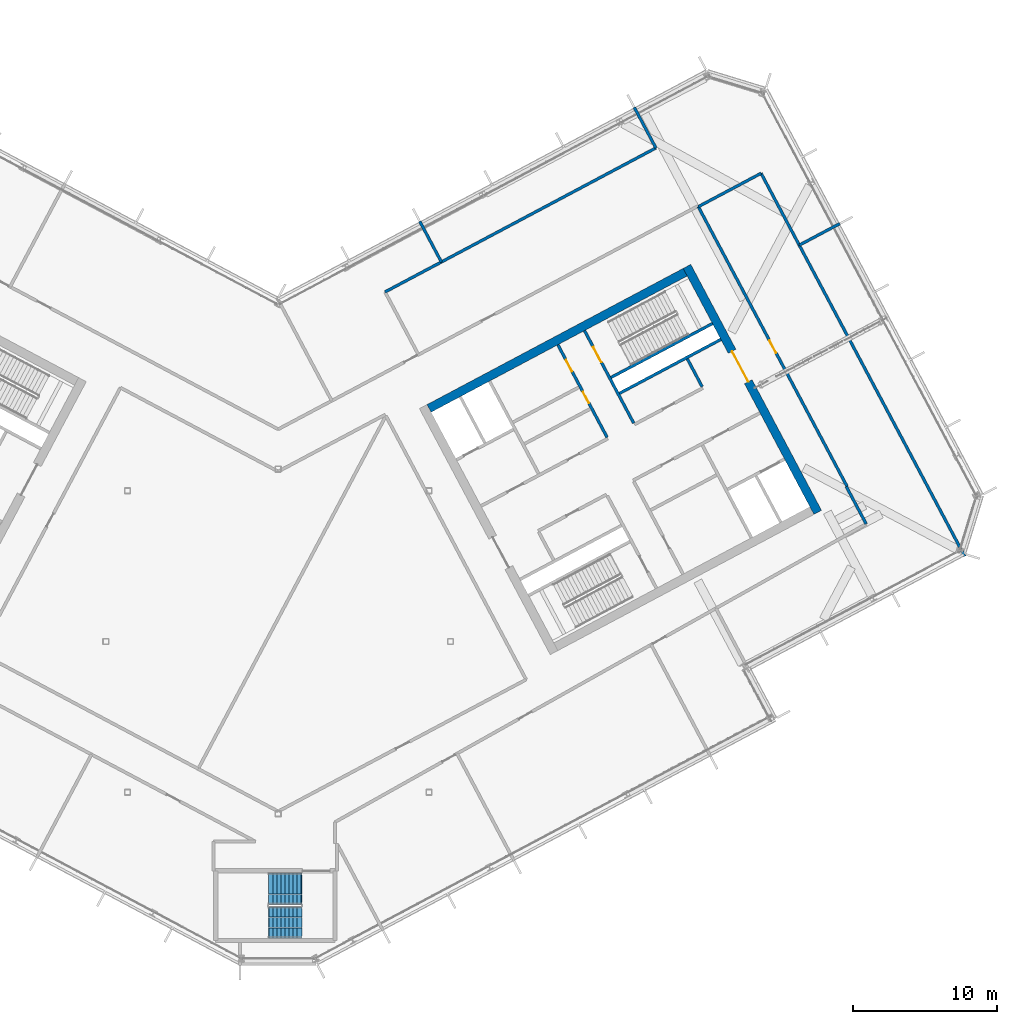
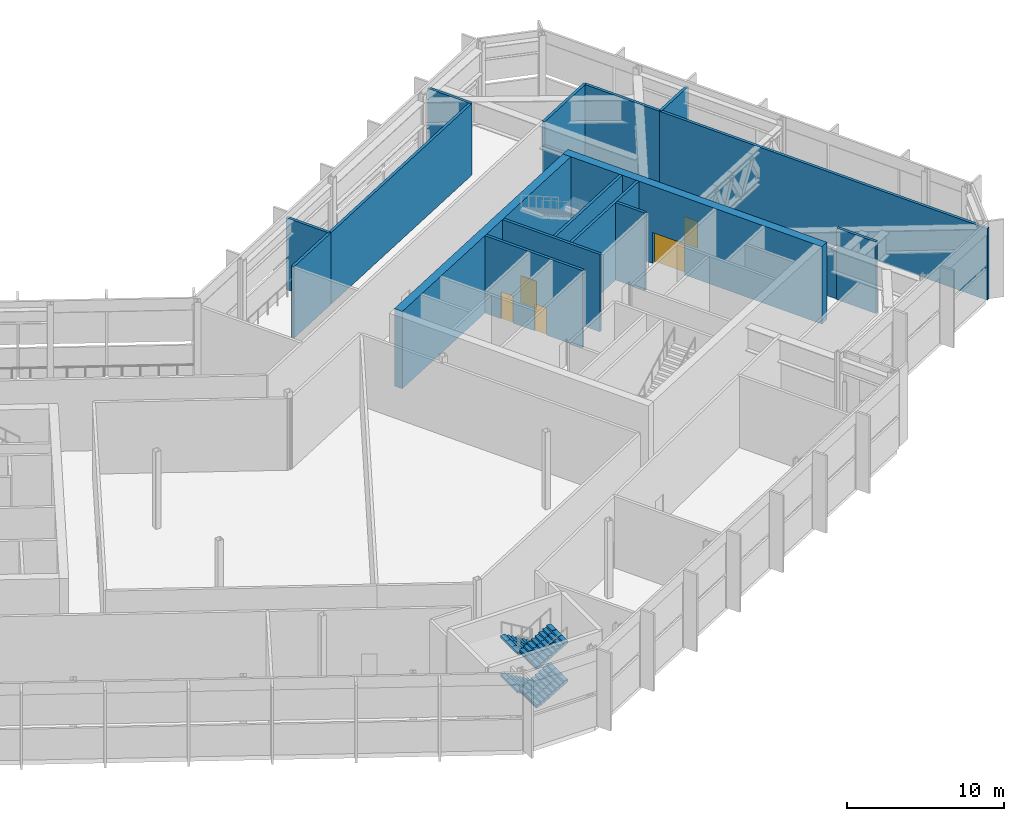
# One storey, part 18 of 33: 17 walls, 5 doors, 4 stair flights, 5 openings, 1 element without a shape of its own.
"""IFC4 building model written with IfcOpenShell, lengths in metres."""

from ifc_helpers import new_model, si_unit, direction, frame, frame_2d, origin, place, context, subcontext, project, spatial, polyline, rectangle, outline, extrude, material, layer, layer_set, type_object, element, fill, aggregate, save


model = new_model("IFC4")

# Units and contexts
model_context = context("Model", 3, precision=1e-05, world=origin(), true_north=direction((0.0, 1.0)))
body_context = subcontext(model_context, "Body", "Model", "MODEL_VIEW")
ifc_project = project(units=[si_unit("LENGTHUNIT", "METRE"), si_unit("AREAUNIT", "SQUARE_METRE"), si_unit("VOLUMEUNIT", "CUBIC_METRE"), si_unit("PLANEANGLEUNIT", "RADIAN"), si_unit("MASSUNIT", "GRAM", prefix="KILO")], contexts=[model_context])

# Site, building, storey
site_placement = place(None, origin())
site = spatial("IfcSite", under=ifc_project, at=site_placement, CompositionType="ELEMENT")
building_placement = place(site_placement, origin())
building = spatial("IfcBuilding", under=site, at=building_placement, Name="Cormorant Relay Tower", CompositionType="ELEMENT")
storey_placement = place(building_placement, frame((0.0, 0.0, 252.0)))
storey = spatial("IfcBuildingStorey", under=building, at=storey_placement, Name="L56", CompositionType="ELEMENT", Elevation=252.0)

# Wall, openings, doors
ifc_material_1 = material(Name="Concrete 50 MPa", Category="concrete")
ifc_layer_1 = layer(ifc_material_1, 0.199951171875)
ifc_layer_set_1 = layer_set([ifc_layer_1], Name="Core shaft wall 200")
wall_type_1 = type_object("IfcWallType", Name="Core shaft wall 200", PredefinedType="SHEAR", material=ifc_layer_set_1)
wall_1_placement = place(storey_placement, frame((22.90625, 14.218017578125, 0.0), z_axis=(0.0, 0.0, 1.0), x_axis=(-0.469480409012, 0.88294288918, 0.0)))
wall_1 = element("IfcWall", 1, at=wall_1_placement, inside=storey, type_object=wall_type_1, Name="L56 core B shaft wall", PredefinedType="SHEAR", context=body_context, shape_type="SweptSolid", body=[
    extrude(rectangle(XDim=7.300048828125, YDim=0.199951171875, at=frame_2d((3.64990234375, 0.0))), origin(), (0.0, 0.0, 1.0), 6.0),
])
opening_1_placement = place(wall_1_placement, frame((2.699951171875, 0.0, 0.0)))
opening_1 = element("IfcOpeningElement", 2, at=opening_1_placement, cuts=wall_1, Name="Opening CDD-312", PredefinedType="OPENING", context=body_context, shape_type="SweptSolid", body=[
    extrude(rectangle(XDim=0.89990234375, YDim=2.10009765625, at=frame_2d((0.449951171875, 1.050048828125))), frame((0.0, 0.10986328125, 0.0), z_axis=(0.0, -1.0, 0.0), x_axis=(1.0, 0.0, 0.0)), (0.0, 0.0, 1.0), 0.219970703125),
])
opening_2_placement = place(wall_1_placement, frame((5.199951171875, 0.0, 0.0)))
opening_2 = element("IfcOpeningElement", 3, at=opening_2_placement, cuts=wall_1, Name="Opening CDD-313", PredefinedType="OPENING", context=body_context, shape_type="SweptSolid", body=[
    extrude(rectangle(XDim=0.89990234375, YDim=2.10009765625, at=frame_2d((0.449951171875, 1.050048828125))), frame((0.0, 0.10986328125, 0.0), z_axis=(0.0, -1.0, 0.0), x_axis=(1.0, 0.0, 0.0)), (0.0, 0.0, 1.0), 0.219970703125),
])
ifc_material_2 = material(Name="Steel fire door", Category="steel")
door_type_1 = type_object("IfcDoorType", Name="Core room door 900x2100", OperationType="SINGLE_SWING_LEFT", PredefinedType="DOOR", material=ifc_material_2)
door_1_placement = place(opening_1_placement, frame((0.89990234375, 0.0, 0.0), z_axis=(0.0, 0.0, 1.0), x_axis=(-1.0, 0.0, 0.0)))
door_1 = element("IfcDoor", 4, at=door_1_placement, inside=storey, type_object=door_type_1, Name="Core room door 900x2100", OperationType="SINGLE_SWING_LEFT", OverallHeight=2.10009765625, OverallWidth=0.89990234375, PredefinedType="DOOR", context=body_context, shape_type="SweptSolid", body=[
    extrude(rectangle(XDim=0.89990234375, YDim=2.10009765625, at=frame_2d((0.449951171875, 1.050048828125))), frame((0.0, 0.02490234375, 0.0), z_axis=(0.0, -1.0, 0.0), x_axis=(1.0, 0.0, 0.0)), (0.0, 0.0, 1.0), 0.050048828125),
])
fill(opening_1, door_1)
door_2_placement = place(opening_2_placement, frame((0.89990234375, 0.0, 0.0), z_axis=(0.0, 0.0, 1.0), x_axis=(-1.0, 0.0, 0.0)))
door_2 = element("IfcDoor", 5, at=door_2_placement, inside=storey, type_object=door_type_1, Name="Core room door 900x2100", OperationType="SINGLE_SWING_LEFT", OverallHeight=2.10009765625, OverallWidth=0.89990234375, PredefinedType="DOOR", context=body_context, shape_type="SweptSolid", body=[
    extrude(rectangle(XDim=0.89990234375, YDim=2.10009765625, at=frame_2d((0.449951171875, 1.050048828125))), frame((0.0, 0.02490234375, 0.0), z_axis=(0.0, -1.0, 0.0), x_axis=(1.0, 0.0, 0.0)), (0.0, 0.0, 1.0), 0.050048828125),
])
fill(opening_2, door_2)

# Wall, opening, door
wall_2_placement = place(storey_placement, frame((24.760498046875, 15.2041015625, 0.0), z_axis=(0.0, 0.0, 1.0), x_axis=(-0.469494272526, 0.882935517501, 0.0)))
wall_2 = element("IfcWall", 6, at=wall_2_placement, inside=storey, type_object=wall_type_1, Name="L56 core B shaft wall", PredefinedType="SHEAR", context=body_context, shape_type="SweptSolid", body=[
    extrude(rectangle(XDim=7.2998046875, YDim=0.199951171875, at=frame_2d((3.64990234375, 0.0))), origin(), (0.0, 0.0, 1.0), 6.0),
])
opening_3_placement = place(wall_2_placement, frame((4.800048828125, 0.0, 0.0)))
opening_3 = element("IfcOpeningElement", 7, at=opening_3_placement, cuts=wall_2, Name="Opening CDB-032", PredefinedType="OPENING", context=body_context, shape_type="SweptSolid", body=[
    extrude(rectangle(XDim=1.199951171875, YDim=2.10009765625, at=frame_2d((0.60009765625, 1.050048828125))), frame((0.0, 0.10986328125, 0.0), z_axis=(0.0, -1.0, 0.0), x_axis=(1.0, 0.0, 0.0)), (0.0, 0.0, 1.0), 0.219970703125),
])
ifc_material_3 = material(Name="Steel fire door", Category="steel")
door_type_2 = type_object("IfcDoorType", Name="Core stair door 1200x2100", OperationType="SINGLE_SWING_LEFT", PredefinedType="DOOR", material=ifc_material_3)
door_3_placement = place(opening_3_placement, frame((1.199951171875, 0.0, 0.0), z_axis=(0.0, 0.0, 1.0), x_axis=(-1.0, 0.0, 0.0)))
door_3 = element("IfcDoor", 8, at=door_3_placement, inside=storey, type_object=door_type_2, Name="Core stair door 1200x2100", OperationType="SINGLE_SWING_RIGHT", OverallHeight=2.10009765625, OverallWidth=1.199951171875, PredefinedType="DOOR", context=body_context, shape_type="SweptSolid", body=[
    extrude(rectangle(XDim=1.199951171875, YDim=2.10009765625, at=frame_2d((0.60009765625, 1.050048828125))), frame((0.0, 0.02490234375, 0.0), z_axis=(0.0, -1.0, 0.0), x_axis=(1.0, 0.0, 0.0)), (0.0, 0.0, 1.0), 0.050048828125),
])
fill(opening_3, door_3)

# Walls
wall_3_placement = place(storey_placement, frame((29.5283203125, 17.739013671875, 0.0), z_axis=(0.0, 0.0, 1.0), x_axis=(-0.469401318492, 0.882984938828, 0.0)))
element("IfcWall", 9, at=wall_3_placement, inside=storey, type_object=wall_type_1, Name="L56 core B shaft wall", PredefinedType="SHEAR", context=body_context, shape_type="SweptSolid", body=[
    extrude(rectangle(XDim=2.199951171875, YDim=0.199951171875, at=frame_2d((1.10009765625, 0.0))), origin(), (0.0, 0.0, 1.0), 6.0),
])
wall_4_placement = place(storey_placement, frame((23.76904296875, 17.28173828125, 0.0), z_axis=(0.0, 0.0, 1.0), x_axis=(0.882940221191, 0.469485426614, 0.0)))
element("IfcWall", 10, at=wall_4_placement, inside=storey, type_object=wall_type_1, Name="L56 core B shaft wall", PredefinedType="SHEAR", context=body_context, shape_type="SweptSolid", body=[
    extrude(rectangle(XDim=8.0, YDim=0.199951171875, at=frame_2d((4.0, 0.0))), origin(), (0.0, 0.0, 1.0), 6.0),
])
wall_5_placement = place(storey_placement, frame((23.18212890625, 18.385498046875, 0.0), z_axis=(0.0, 0.0, 1.0), x_axis=(0.88295287151, 0.469461634952, 0.0)))
element("IfcWall", 11, at=wall_5_placement, inside=storey, type_object=wall_type_1, Name="L56 core B shaft wall", PredefinedType="SHEAR", context=body_context, shape_type="SweptSolid", body=[
    extrude(rectangle(XDim=7.999755859375, YDim=0.199951171875, at=frame_2d((4.0, 0.0))), origin(), (0.0, 0.0, 1.0), 6.0),
])

# Wall, opening, door
ifc_material_4 = material(Name="Concrete 50 MPa", Category="concrete")
ifc_layer_2 = layer(ifc_material_4, 0.60009765625)
ifc_layer_set_2 = layer_set([ifc_layer_2], Name="Core wall 600")
wall_type_2 = type_object("IfcWallType", Name="Core wall 600", PredefinedType="SHEAR", material=ifc_layer_set_2)
wall_6_placement = place(storey_placement, frame((37.576171875, 8.99365234375, 0.0), z_axis=(0.0, 0.0, 1.0), x_axis=(-0.469478769487, 0.88294376095, 0.0)))
wall_6 = element("IfcWall", 12, at=wall_6_placement, inside=storey, type_object=wall_type_2, Name="L56 core B wall", PredefinedType="SHEAR", context=body_context, shape_type="SweptSolid", body=[
    extrude(rectangle(XDim=19.400146484375, YDim=0.60009765625, at=frame_2d((9.7001953125, 0.0))), origin(), (0.0, 0.0, 1.0), 6.0),
])
opening_4_placement = place(wall_6_placement, frame((10.300048828125, 0.0, 0.0)))
opening_4 = element("IfcOpeningElement", 13, at=opening_4_placement, cuts=wall_6, Name="Opening CDA-049", PredefinedType="OPENING", context=body_context, shape_type="SweptSolid", body=[
    extrude(rectangle(XDim=2.39990234375, YDim=2.39990234375, at=frame_2d((1.199951171875, 1.199951171875))), frame((0.0, 0.31005859375, 0.0), z_axis=(0.0, -1.0, 0.0), x_axis=(1.0, 0.0, 0.0)), (0.0, 0.0, 1.0), 0.6201171875),
])
ifc_material_5 = material(Name="Steel fire door", Category="steel")
door_type_3 = type_object("IfcDoorType", Name="Core lobby door 2400x2400", OperationType="DOUBLE_DOOR_SINGLE_SWING", PredefinedType="DOOR", material=ifc_material_5)
door_4_placement = place(opening_4_placement, origin())
door_4 = element("IfcDoor", 14, at=door_4_placement, inside=storey, type_object=door_type_3, Name="Core lobby door 2400x2400", OperationType="DOUBLE_DOOR_SINGLE_SWING", OverallHeight=2.39990234375, OverallWidth=2.39990234375, PredefinedType="DOOR", context=body_context, shape_type="SweptSolid", body=[
    extrude(rectangle(XDim=2.39990234375, YDim=2.39990234375, at=frame_2d((1.199951171875, 1.199951171875))), frame((0.0, 0.02490234375, 0.0), z_axis=(0.0, -1.0, 0.0), x_axis=(1.0, 0.0, 0.0)), (0.0, 0.0, 1.0), 0.050048828125),
])
fill(opening_4, door_4)

# Walls
wall_7_placement = place(storey_placement, frame((10.5087890625, 16.23388671875, 0.0), z_axis=(0.0, 0.0, 1.0), x_axis=(0.88295010195, 0.469466843842, 0.0)))
element("IfcWall", 15, at=wall_7_placement, inside=storey, type_object=wall_type_2, Name="L56 core B wall", PredefinedType="SHEAR", context=body_context, shape_type="SweptSolid", body=[
    extrude(rectangle(XDim=20.199951171875, YDim=0.60009765625, at=frame_2d((10.10009765625, 0.0))), origin(), (0.0, 0.0, 1.0), 6.0),
])
ifc_material_6 = material(Name="Fire-rated gypsum board partition")
ifc_layer_3 = layer(ifc_material_6, 0.199951171875)
ifc_layer_set_3 = layer_set([ifc_layer_3], Name="Fire-rated gypsum partition 200")
wall_type_3 = type_object("IfcWallType", Name="Fire-rated gypsum partition 200", PredefinedType="PARTITIONING", material=ifc_layer_set_3)
wall_8_placement = place(storey_placement, frame((11.35498046875, 26.424072265625, 0.0), z_axis=(0.0, 0.0, 1.0), x_axis=(-0.882846627183, -0.469661402366, 0.0)))
element("IfcWall", 16, at=wall_8_placement, inside=storey, type_object=wall_type_3, Name="wall/L56/part/53", PredefinedType="PARTITIONING", context=body_context, shape_type="SweptSolid", body=[
    extrude(rectangle(XDim=4.430908203125, YDim=0.199951171875, at=frame_2d((2.21533203125, 0.0))), origin(), (0.0, 0.0, 1.0), 5.550048828125),
])
wall_9_placement = place(storey_placement, frame((9.864013671875, 29.2548828125, 0.0), z_axis=(0.0, 0.0, 1.0), x_axis=(0.469447181805, -0.882960556025, 0.0)))
element("IfcWall", 17, at=wall_9_placement, inside=storey, type_object=wall_type_3, Name="wall/L56/part/55", PredefinedType="PARTITIONING", context=body_context, shape_type="SweptSolid", body=[
    extrude(rectangle(XDim=3.199462890625, YDim=0.199951171875, at=frame_2d((1.599609375, 0.0))), origin(), (0.0, 0.0, 1.0), 5.550048828125),
])
wall_10_placement = place(storey_placement, frame((11.35498046875, 26.424072265625, 0.0), z_axis=(0.0, 0.0, 1.0), x_axis=(0.882971344108, 0.469426890458, 0.0)))
element("IfcWall", 18, at=wall_10_placement, inside=storey, type_object=wall_type_3, Name="wall/L56/part/56", PredefinedType="PARTITIONING", context=body_context, shape_type="SweptSolid", body=[
    extrude(rectangle(XDim=16.92919921875, YDim=0.199951171875, at=frame_2d((8.464599609375, 0.0))), origin(), (0.0, 0.0, 1.0), 5.550048828125),
])
wall_11_placement = place(storey_placement, frame((26.302978515625, 34.37109375, 0.0), z_axis=(0.0, 0.0, 1.0), x_axis=(-0.46919425931, 0.883094981885, 0.0)))
element("IfcWall", 19, at=wall_11_placement, inside=storey, type_object=wall_type_3, Name="wall/L56/part/57", PredefinedType="PARTITIONING", context=body_context, shape_type="SweptSolid", body=[
    extrude(rectangle(XDim=3.201171875, YDim=0.199951171875, at=frame_2d((1.6005859375, 0.0))), origin(), (0.0, 0.0, 1.0), 5.550048828125),
])

# Wall, opening, door
wall_12_placement = place(storey_placement, frame((29.258056640625, 30.281982421875, 0.0), z_axis=(0.0, 0.0, 1.0), x_axis=(0.469478738977, -0.882943777173, 0.0)))
wall_12 = element("IfcWall", 20, at=wall_12_placement, inside=storey, type_object=wall_type_3, Name="wall/L56/part/59", PredefinedType="PARTITIONING", context=body_context, shape_type="SweptSolid", body=[
    extrude(rectangle(XDim=22.050048828125, YDim=0.199951171875, at=frame_2d((11.02490234375, 0.0))), origin(), (0.0, 0.0, 1.0), 3.72998046875),
])
opening_5_placement = place(wall_12_placement, frame((10.551025390625, 0.0, 0.0)))
opening_5 = element("IfcOpeningElement", 21, at=opening_5_placement, cuts=wall_12, Name="Opening FD1-190", PredefinedType="OPENING", context=body_context, shape_type="SweptSolid", body=[
    extrude(rectangle(XDim=1.0, YDim=2.10009765625, at=frame_2d((0.5, 1.050048828125))), frame((0.0, 0.10986328125, 0.0), z_axis=(0.0, -1.0, 0.0), x_axis=(1.0, 0.0, 0.0)), (0.0, 0.0, 1.0), 0.219970703125),
])
ifc_material_7 = material(Name="Fire-rated steel door", Category="steel")
door_type_4 = type_object("IfcDoorType", Name="Fire door 1000 x 2100", OperationType="SINGLE_SWING_LEFT", PredefinedType="DOOR", material=ifc_material_7)
door_5_placement = place(opening_5_placement, origin())
door_5 = element("IfcDoor", 22, at=door_5_placement, inside=storey, type_object=door_type_4, Name="door/L56/5", OperationType="SINGLE_SWING_LEFT", OverallHeight=2.10009765625, OverallWidth=1.0, PredefinedType="DOOR", context=body_context, shape_type="SweptSolid", body=[
    extrude(rectangle(XDim=1.0, YDim=2.10009765625, at=frame_2d((0.5, 1.050048828125))), frame((0.0, 0.02490234375, 0.0), z_axis=(0.0, -1.0, 0.0), x_axis=(1.0, 0.0, 0.0)), (0.0, 0.0, 1.0), 0.050048828125),
])
fill(opening_5, door_5)

# Walls
wall_13_placement = place(storey_placement, frame((29.259033203125, 30.281005859375, 0.0), z_axis=(0.0, 0.0, 1.0), x_axis=(0.882951557948, 0.469464105463, 0.0)))
element("IfcWall", 23, at=wall_13_placement, inside=storey, type_object=wall_type_3, Name="wall/L56/part/60", PredefinedType="PARTITIONING", context=body_context, shape_type="SweptSolid", body=[
    extrude(rectangle(XDim=4.9501953125, YDim=0.199951171875, at=frame_2d((2.47509765625, 0.0))), origin(), (0.0, 0.0, 1.0), 5.550048828125),
])
wall_14_placement = place(storey_placement, frame((33.6298828125, 32.60498046875, 0.0), z_axis=(0.0, 0.0, 1.0), x_axis=(0.469316317049, -0.883030120976, 0.0)))
element("IfcWall", 24, at=wall_14_placement, inside=storey, type_object=wall_type_3, Name="wall/L56/part/61", PredefinedType="PARTITIONING", context=body_context, shape_type="SweptSolid", body=[
    extrude(rectangle(XDim=5.65087890625, YDim=0.199951171875, at=frame_2d((2.825439453125, 0.0))), origin(), (0.0, 0.0, 1.0), 5.550048828125),
])
wall_15_placement = place(storey_placement, frame((39.566162109375, 10.78955078125, 0.0), z_axis=(0.0, 0.0, 1.0), x_axis=(0.469437396535, -0.882965758529, 0.0)))
element("IfcWall", 25, at=wall_15_placement, inside=storey, type_object=wall_type_3, Name="wall/L56/part/63", PredefinedType="PARTITIONING", context=body_context, shape_type="SweptSolid", body=[
    extrude(rectangle(XDim=2.951904296875, YDim=0.199951171875, at=frame_2d((1.47607421875, 0.0))), origin(), (0.0, 0.0, 1.0), 5.550048828125),
])
wall_16_placement = place(storey_placement, frame((36.281982421875, 27.614990234375, 0.0), z_axis=(0.0, 0.0, 1.0), x_axis=(0.469478308665, -0.882944005978, 0.0)))
element("IfcWall", 26, at=wall_16_placement, inside=storey, type_object=wall_type_3, Name="wall/L56/part/65", PredefinedType="PARTITIONING", context=body_context, shape_type="SweptSolid", body=[
    extrude(rectangle(XDim=24.5654296875, YDim=0.199951171875, at=frame_2d((12.28271484375, 0.0))), origin(), (0.0, 0.0, 1.0), 5.550048828125),
])
wall_17_placement = place(storey_placement, frame((39.114990234375, 29.10400390625, 0.0), z_axis=(0.0, 0.0, 1.0), x_axis=(-0.882834022315, -0.469685095616, 0.0)))
element("IfcWall", 27, at=wall_17_placement, inside=storey, type_object=wall_type_3, Name="wall/L56/part/66", PredefinedType="PARTITIONING", context=body_context, shape_type="SweptSolid", body=[
    extrude(rectangle(XDim=3.199951171875, YDim=0.199951171875, at=frame_2d((1.60009765625, 0.0))), origin(), (0.0, 0.0, 1.0), 5.550048828125),
])

# Stair, stair flights
ifc_material_8 = material(Name="Concrete 40 MPa", Category="concrete")
stair_type = type_object("IfcStairType", Name="Remote exit stair 2200", PredefinedType="HALF_TURN_STAIR", material=ifc_material_8)
stair_placement = place(storey_placement, origin())
stair = element("IfcStair", 28, at=stair_placement, inside=storey, type_object=stair_type, Name="L56 Stair", PredefinedType="HALF_TURN_STAIR")
ifc_material_9 = material(Name="Concrete 40 MPa", Category="concrete")
stair_flight_type = type_object("IfcStairFlightType", Name="Remote exit stair flight 2200", PredefinedType="STRAIGHT", material=ifc_material_9)
stair_flight_1_placement = place(storey_placement, frame((1.60009765625, -17.22509765625, 0.0), z_axis=(0.0, 0.0, 1.0), x_axis=(-1.0, 0.0, 0.0)))
stair_flight_1 = element("IfcStairFlight", 29, at=stair_flight_1_placement, type_object=stair_flight_type, Name="RK1 flight 1", NumberOfRisers=9, NumberOfTreads=8, PredefinedType="STRAIGHT", RiserHeight=0.166666667, TreadLength=0.28, context=body_context, shape_type="SweptSolid", body=[
    extrude(outline(polyline([(-0.050048828125, -0.080078125), (-0.050048828125, 0.0), (0.0, 0.0), (0.0, 0.166748046875), (0.280029296875, 0.166748046875), (0.280029296875, 0.333251953125), (0.56005859375, 0.333251953125), (0.56005859375, 0.5), (0.840087890625, 0.5), (0.840087890625, 0.666748046875), (1.1201171875, 0.666748046875), (1.1201171875, 0.833251953125), (1.39990234375, 0.833251953125), (1.39990234375, 1.0), (1.679931640625, 1.0), (1.679931640625, 1.166748046875), (1.9599609375, 1.166748046875), (1.9599609375, 1.333251953125), (2.239990234375, 1.333251953125), (2.2900390625, 1.333251953125), (2.2900390625, 1.158935546875), (2.239990234375, 1.158935546875), (0.29296875, 0.0), (-0.050048828125, -0.080078125)])), frame((0.0, 1.10009765625, 0.0), z_axis=(0.0, -1.0, 0.0), x_axis=(1.0, 0.0, 0.0)), (0.0, 0.0, 1.0), 0.719970703125),
    extrude(outline(polyline([(-0.050048828125, -0.080078125), (-0.050048828125, 0.0), (0.0, 0.0), (0.0, 0.166748046875), (0.280029296875, 0.166748046875), (0.280029296875, 0.333251953125), (0.56005859375, 0.333251953125), (0.56005859375, 0.5), (0.840087890625, 0.5), (0.840087890625, 0.666748046875), (1.1201171875, 0.666748046875), (1.1201171875, 0.833251953125), (1.39990234375, 0.833251953125), (1.39990234375, 1.0), (1.679931640625, 1.0), (1.679931640625, 1.166748046875), (1.9599609375, 1.166748046875), (1.9599609375, 1.333251953125), (2.239990234375, 1.333251953125), (2.2900390625, 1.333251953125), (2.2900390625, 1.158935546875), (2.239990234375, 1.158935546875), (0.29296875, 0.0), (-0.050048828125, -0.080078125)])), frame((0.0, 0.360107421875, 0.0), z_axis=(0.0, -1.0, 0.0), x_axis=(1.0, 0.0, 0.0)), (0.0, 0.0, 1.0), 0.719970703125),
    extrude(outline(polyline([(-0.050048828125, -0.080078125), (-0.050048828125, 0.0), (0.0, 0.0), (0.0, 0.166748046875), (0.280029296875, 0.166748046875), (0.280029296875, 0.333251953125), (0.56005859375, 0.333251953125), (0.56005859375, 0.5), (0.840087890625, 0.5), (0.840087890625, 0.666748046875), (1.1201171875, 0.666748046875), (1.1201171875, 0.833251953125), (1.39990234375, 0.833251953125), (1.39990234375, 1.0), (1.679931640625, 1.0), (1.679931640625, 1.166748046875), (1.9599609375, 1.166748046875), (1.9599609375, 1.333251953125), (2.239990234375, 1.333251953125), (2.2900390625, 1.333251953125), (2.2900390625, 1.158935546875), (2.239990234375, 1.158935546875), (0.29296875, 0.0), (-0.050048828125, -0.080078125)])), frame((0.0, -0.3798828125, 0.0), z_axis=(0.0, -1.0, 0.0), x_axis=(1.0, 0.0, 0.0)), (0.0, 0.0, 1.0), 0.719970703125),
])
stair_flight_2_placement = place(storey_placement, frame((-0.639892578125, -19.574951171875, 1.5), z_axis=(0.0, 0.0, 1.0), x_axis=(1.0, 0.0, 0.0)))
stair_flight_2 = element("IfcStairFlight", 30, at=stair_flight_2_placement, type_object=stair_flight_type, Name="RK1 flight 2", NumberOfRisers=9, NumberOfTreads=8, PredefinedType="STRAIGHT", RiserHeight=0.166666667, TreadLength=0.28, context=body_context, shape_type="SweptSolid", body=[
    extrude(outline(polyline([(-0.050048828125, -0.080078125), (-0.050048828125, 0.0), (0.0, 0.0), (0.0, 0.166748046875), (0.280029296875, 0.166748046875), (0.280029296875, 0.333251953125), (0.56005859375, 0.333251953125), (0.56005859375, 0.5), (0.840087890625, 0.5), (0.840087890625, 0.666748046875), (1.1201171875, 0.666748046875), (1.1201171875, 0.833251953125), (1.39990234375, 0.833251953125), (1.39990234375, 1.0), (1.679931640625, 1.0), (1.679931640625, 1.166748046875), (1.9599609375, 1.166748046875), (1.9599609375, 1.333251953125), (2.239990234375, 1.333251953125), (2.2900390625, 1.333251953125), (2.2900390625, 1.158935546875), (2.239990234375, 1.158935546875), (0.29296875, 0.0), (-0.050048828125, -0.080078125)])), frame((0.0, 1.10009765625, 0.0), z_axis=(0.0, -1.0, 0.0), x_axis=(1.0, 0.0, 0.0)), (0.0, 0.0, 1.0), 0.719970703125),
    extrude(outline(polyline([(-0.050048828125, -0.080078125), (-0.050048828125, 0.0), (0.0, 0.0), (0.0, 0.166748046875), (0.280029296875, 0.166748046875), (0.280029296875, 0.333251953125), (0.56005859375, 0.333251953125), (0.56005859375, 0.5), (0.840087890625, 0.5), (0.840087890625, 0.666748046875), (1.1201171875, 0.666748046875), (1.1201171875, 0.833251953125), (1.39990234375, 0.833251953125), (1.39990234375, 1.0), (1.679931640625, 1.0), (1.679931640625, 1.166748046875), (1.9599609375, 1.166748046875), (1.9599609375, 1.333251953125), (2.239990234375, 1.333251953125), (2.2900390625, 1.333251953125), (2.2900390625, 1.158935546875), (2.239990234375, 1.158935546875), (0.29296875, 0.0), (-0.050048828125, -0.080078125)])), frame((0.0, 0.360107421875, 0.0), z_axis=(0.0, -1.0, 0.0), x_axis=(1.0, 0.0, 0.0)), (0.0, 0.0, 1.0), 0.719970703125),
    extrude(outline(polyline([(-0.050048828125, -0.080078125), (-0.050048828125, 0.0), (0.0, 0.0), (0.0, 0.166748046875), (0.280029296875, 0.166748046875), (0.280029296875, 0.333251953125), (0.56005859375, 0.333251953125), (0.56005859375, 0.5), (0.840087890625, 0.5), (0.840087890625, 0.666748046875), (1.1201171875, 0.666748046875), (1.1201171875, 0.833251953125), (1.39990234375, 0.833251953125), (1.39990234375, 1.0), (1.679931640625, 1.0), (1.679931640625, 1.166748046875), (1.9599609375, 1.166748046875), (1.9599609375, 1.333251953125), (2.239990234375, 1.333251953125), (2.2900390625, 1.333251953125), (2.2900390625, 1.158935546875), (2.239990234375, 1.158935546875), (0.29296875, 0.0), (-0.050048828125, -0.080078125)])), frame((0.0, -0.3798828125, 0.0), z_axis=(0.0, -1.0, 0.0), x_axis=(1.0, 0.0, 0.0)), (0.0, 0.0, 1.0), 0.719970703125),
])
stair_flight_3_placement = place(storey_placement, frame((1.60009765625, -17.22509765625, 3.0), z_axis=(0.0, 0.0, 1.0), x_axis=(-1.0, 0.0, 0.0)))
stair_flight_3 = element("IfcStairFlight", 31, at=stair_flight_3_placement, type_object=stair_flight_type, Name="RK1 flight 3", NumberOfRisers=9, NumberOfTreads=8, PredefinedType="STRAIGHT", RiserHeight=0.166666667, TreadLength=0.28, context=body_context, shape_type="SweptSolid", body=[
    extrude(outline(polyline([(-0.050048828125, -0.080078125), (-0.050048828125, 0.0), (0.0, 0.0), (0.0, 0.166748046875), (0.280029296875, 0.166748046875), (0.280029296875, 0.333251953125), (0.56005859375, 0.333251953125), (0.56005859375, 0.5), (0.840087890625, 0.5), (0.840087890625, 0.666748046875), (1.1201171875, 0.666748046875), (1.1201171875, 0.833251953125), (1.39990234375, 0.833251953125), (1.39990234375, 1.0), (1.679931640625, 1.0), (1.679931640625, 1.166748046875), (1.9599609375, 1.166748046875), (1.9599609375, 1.333251953125), (2.239990234375, 1.333251953125), (2.2900390625, 1.333251953125), (2.2900390625, 1.158935546875), (2.239990234375, 1.158935546875), (0.29296875, 0.0), (-0.050048828125, -0.080078125)])), frame((0.0, 1.10009765625, 0.0), z_axis=(0.0, -1.0, 0.0), x_axis=(1.0, 0.0, 0.0)), (0.0, 0.0, 1.0), 0.719970703125),
    extrude(outline(polyline([(-0.050048828125, -0.080078125), (-0.050048828125, 0.0), (0.0, 0.0), (0.0, 0.166748046875), (0.280029296875, 0.166748046875), (0.280029296875, 0.333251953125), (0.56005859375, 0.333251953125), (0.56005859375, 0.5), (0.840087890625, 0.5), (0.840087890625, 0.666748046875), (1.1201171875, 0.666748046875), (1.1201171875, 0.833251953125), (1.39990234375, 0.833251953125), (1.39990234375, 1.0), (1.679931640625, 1.0), (1.679931640625, 1.166748046875), (1.9599609375, 1.166748046875), (1.9599609375, 1.333251953125), (2.239990234375, 1.333251953125), (2.2900390625, 1.333251953125), (2.2900390625, 1.158935546875), (2.239990234375, 1.158935546875), (0.29296875, 0.0), (-0.050048828125, -0.080078125)])), frame((0.0, 0.360107421875, 0.0), z_axis=(0.0, -1.0, 0.0), x_axis=(1.0, 0.0, 0.0)), (0.0, 0.0, 1.0), 0.719970703125),
    extrude(outline(polyline([(-0.050048828125, -0.080078125), (-0.050048828125, 0.0), (0.0, 0.0), (0.0, 0.166748046875), (0.280029296875, 0.166748046875), (0.280029296875, 0.333251953125), (0.56005859375, 0.333251953125), (0.56005859375, 0.5), (0.840087890625, 0.5), (0.840087890625, 0.666748046875), (1.1201171875, 0.666748046875), (1.1201171875, 0.833251953125), (1.39990234375, 0.833251953125), (1.39990234375, 1.0), (1.679931640625, 1.0), (1.679931640625, 1.166748046875), (1.9599609375, 1.166748046875), (1.9599609375, 1.333251953125), (2.239990234375, 1.333251953125), (2.2900390625, 1.333251953125), (2.2900390625, 1.158935546875), (2.239990234375, 1.158935546875), (0.29296875, 0.0), (-0.050048828125, -0.080078125)])), frame((0.0, -0.3798828125, 0.0), z_axis=(0.0, -1.0, 0.0), x_axis=(1.0, 0.0, 0.0)), (0.0, 0.0, 1.0), 0.719970703125),
])
stair_flight_4_placement = place(storey_placement, frame((-0.639892578125, -19.574951171875, 4.5), z_axis=(0.0, 0.0, 1.0), x_axis=(1.0, 0.0, 0.0)))
stair_flight_4 = element("IfcStairFlight", 32, at=stair_flight_4_placement, type_object=stair_flight_type, Name="RK1 flight 4", NumberOfRisers=9, NumberOfTreads=8, PredefinedType="STRAIGHT", RiserHeight=0.166666667, TreadLength=0.28, context=body_context, shape_type="SweptSolid", body=[
    extrude(outline(polyline([(-0.050048828125, -0.080078125), (-0.050048828125, 0.0), (0.0, 0.0), (0.0, 0.166748046875), (0.280029296875, 0.166748046875), (0.280029296875, 0.333251953125), (0.56005859375, 0.333251953125), (0.56005859375, 0.5), (0.840087890625, 0.5), (0.840087890625, 0.666748046875), (1.1201171875, 0.666748046875), (1.1201171875, 0.833251953125), (1.39990234375, 0.833251953125), (1.39990234375, 1.0), (1.679931640625, 1.0), (1.679931640625, 1.166748046875), (1.9599609375, 1.166748046875), (1.9599609375, 1.333251953125), (2.239990234375, 1.333251953125), (2.2900390625, 1.333251953125), (2.2900390625, 1.158935546875), (2.239990234375, 1.158935546875), (0.29296875, 0.0), (-0.050048828125, -0.080078125)])), frame((0.0, 1.10009765625, 0.0), z_axis=(0.0, -1.0, 0.0), x_axis=(1.0, 0.0, 0.0)), (0.0, 0.0, 1.0), 0.719970703125),
    extrude(outline(polyline([(-0.050048828125, -0.080078125), (-0.050048828125, 0.0), (0.0, 0.0), (0.0, 0.166748046875), (0.280029296875, 0.166748046875), (0.280029296875, 0.333251953125), (0.56005859375, 0.333251953125), (0.56005859375, 0.5), (0.840087890625, 0.5), (0.840087890625, 0.666748046875), (1.1201171875, 0.666748046875), (1.1201171875, 0.833251953125), (1.39990234375, 0.833251953125), (1.39990234375, 1.0), (1.679931640625, 1.0), (1.679931640625, 1.166748046875), (1.9599609375, 1.166748046875), (1.9599609375, 1.333251953125), (2.239990234375, 1.333251953125), (2.2900390625, 1.333251953125), (2.2900390625, 1.158935546875), (2.239990234375, 1.158935546875), (0.29296875, 0.0), (-0.050048828125, -0.080078125)])), frame((0.0, 0.360107421875, 0.0), z_axis=(0.0, -1.0, 0.0), x_axis=(1.0, 0.0, 0.0)), (0.0, 0.0, 1.0), 0.719970703125),
    extrude(outline(polyline([(-0.050048828125, -0.080078125), (-0.050048828125, 0.0), (0.0, 0.0), (0.0, 0.166748046875), (0.280029296875, 0.166748046875), (0.280029296875, 0.333251953125), (0.56005859375, 0.333251953125), (0.56005859375, 0.5), (0.840087890625, 0.5), (0.840087890625, 0.666748046875), (1.1201171875, 0.666748046875), (1.1201171875, 0.833251953125), (1.39990234375, 0.833251953125), (1.39990234375, 1.0), (1.679931640625, 1.0), (1.679931640625, 1.166748046875), (1.9599609375, 1.166748046875), (1.9599609375, 1.333251953125), (2.239990234375, 1.333251953125), (2.2900390625, 1.333251953125), (2.2900390625, 1.158935546875), (2.239990234375, 1.158935546875), (0.29296875, 0.0), (-0.050048828125, -0.080078125)])), frame((0.0, -0.3798828125, 0.0), z_axis=(0.0, -1.0, 0.0), x_axis=(1.0, 0.0, 0.0)), (0.0, 0.0, 1.0), 0.719970703125),
])
aggregate(stair, [stair_flight_1, stair_flight_2, stair_flight_3, stair_flight_4])

save(model, "model.ifc")
